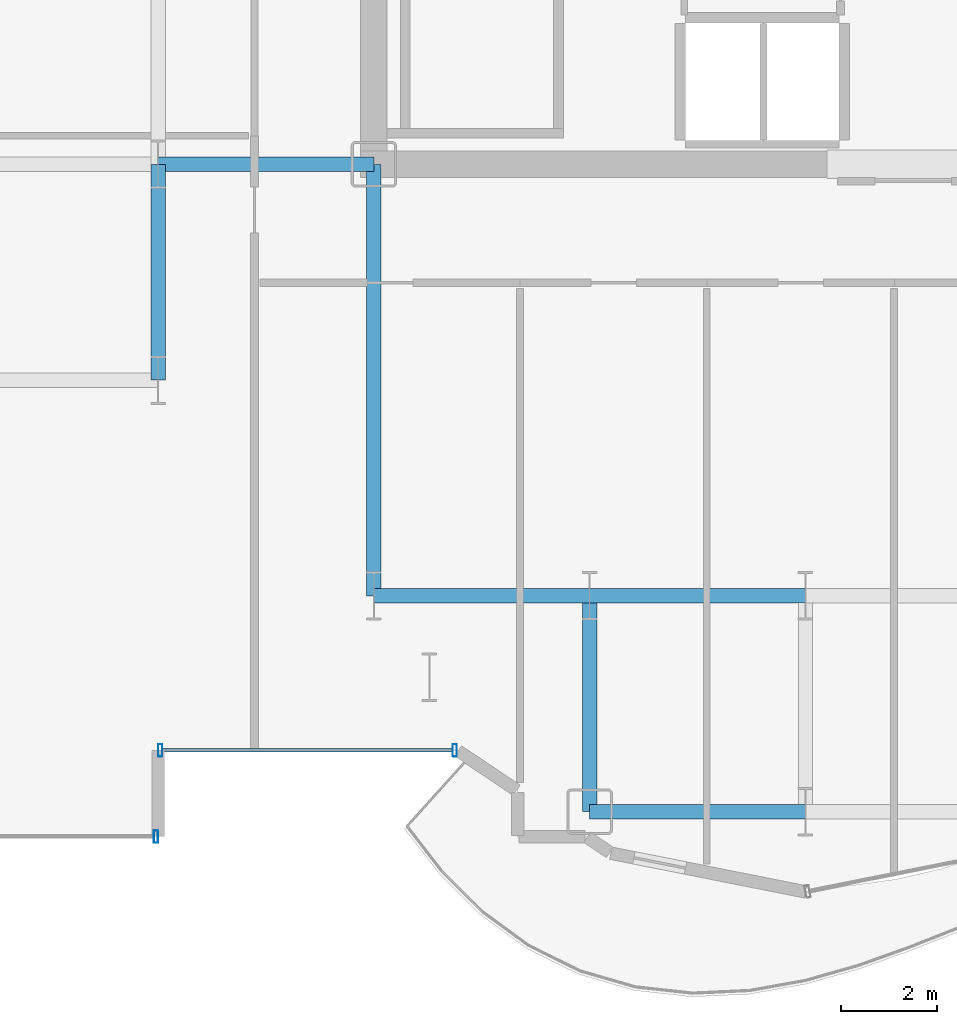
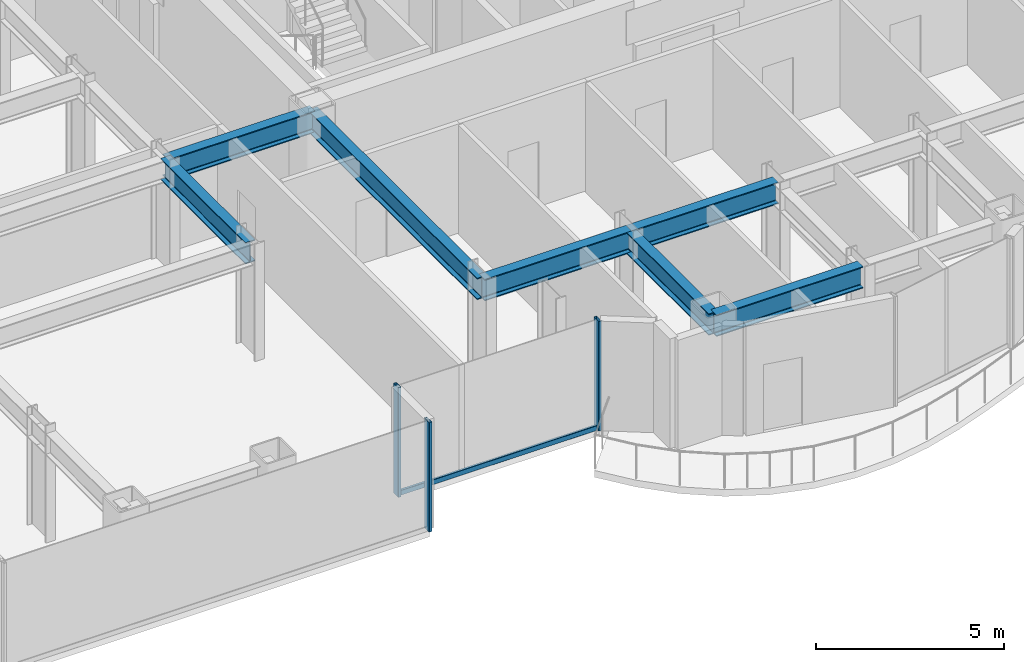
# One storey, part 4 of 29: 7 beams, 4 members, 2 elements without a shape of their own.
"""IFC4 building model written with IfcOpenShell, lengths in metres."""

import ifcopenshell
import ifcopenshell.guid

model = None  # the IFC model being written
_history = None  # IfcOwnerHistory: only IFC2X3 demands one
_inside = {}  # id of a spatial element -> (the spatial element, [elements in it])
_under = {}  # id of a project, library or spatial element -> (it, [spatial elements below it])
_declared = {}  # id of a project -> (the project, [libraries it declares])
_typed = {}  # id of a type object -> (the type object, [elements of that type])
_made_of = {}  # id of a material, layer set ... -> (it, [elements and type objects made of it])


def new_model(schema):
    """Start an empty IFC model of exactly this schema.

    Asked for "IFC4X3", IfcOpenShell would pick the latest addendum, in which some entities
    have other attributes; the version numbers below select the first issue.
    IFC2X3 requires an IfcOwnerHistory on every rooted entity: one is made here for all.
    """
    global model, _history
    if schema == "IFC4X3":
        model = ifcopenshell.file(schema_version=(4, 3, 0, 0))
    else:
        model = ifcopenshell.file(schema=schema)
    _inside.clear()
    _under.clear()
    _declared.clear()
    _typed.clear()
    _made_of.clear()
    _history = None
    if model.schema == "IFC2X3":
        org = make("IfcOrganization", Name="unknown")
        user = make(
            "IfcPersonAndOrganization",
            ThePerson=make("IfcPerson", FamilyName="unknown"),
            TheOrganization=org,
        )
        app = make(
            "IfcApplication",
            ApplicationDeveloper=org,
            Version="unknown",
            ApplicationFullName="unknown",
            ApplicationIdentifier="unknown",
        )
        _history = make(
            "IfcOwnerHistory",
            OwningUser=user,
            OwningApplication=app,
            ChangeAction="ADDED",
            CreationDate=0,
        )
    return model


def make(cls, **values):
    """One entity of the class cls with the attributes given. An attribute that is None is left unset."""
    return model.create_entity(
        cls, **{name: value for name, value in values.items() if value is not None}
    )


def rooted(cls, **values):
    """An entity with a GlobalId (a new one), such as an element, a storey or a relation."""
    return make(cls, GlobalId=ifcopenshell.guid.new(), OwnerHistory=_history, **values)


def si_unit(unit_type, name, prefix=None):
    """IfcSIUnit, for example si_unit("LENGTHUNIT", "METRE", prefix="MILLI")."""
    return make("IfcSIUnit", UnitType=unit_type, Prefix=prefix, Name=name)


def assignment(units):
    """IfcUnitAssignment: the units of a project."""
    return None if units is None else make("IfcUnitAssignment", Units=units)


def point(xyz):
    """IfcCartesianPoint."""
    return None if xyz is None else make("IfcCartesianPoint", Coordinates=xyz)


def direction(xyz):
    """IfcDirection."""
    return None if xyz is None else make("IfcDirection", DirectionRatios=xyz)


def frame(location, z_axis=None, x_axis=None):
    """IfcAxis2Placement3D, a coordinate frame: its origin and axes. An axis left out is left unset."""
    return make(
        "IfcAxis2Placement3D",
        Location=point(location),
        Axis=direction(z_axis),
        RefDirection=direction(x_axis),
    )


def frame_2d(location, x_axis=None):
    """IfcAxis2Placement2D, a coordinate frame in the plane: its origin and x axis."""
    return make(
        "IfcAxis2Placement2D", Location=point(location), RefDirection=direction(x_axis)
    )


def origin():
    """The frame at (0, 0, 0) with its axes left unset."""
    return frame((0.0, 0.0, 0.0))


def origin_2d():
    """The frame at (0, 0) in the plane with its x axis left unset."""
    return frame_2d((0.0, 0.0))


def place(relative_to, where):
    """IfcLocalPlacement: puts the frame where relative to a parent placement (None: the world)."""
    return make(
        "IfcLocalPlacement", PlacementRelTo=relative_to, RelativePlacement=where
    )


def context(
    kind, dimensions, precision=None, world=None, true_north=None, identifier=None
):
    """IfcGeometricRepresentationContext, for example the 3D "Model" context."""
    return make(
        "IfcGeometricRepresentationContext",
        ContextIdentifier=identifier,
        ContextType=kind,
        CoordinateSpaceDimension=dimensions,
        Precision=precision,
        WorldCoordinateSystem=world,
        TrueNorth=true_north,
    )


def subcontext(parent, identifier, kind, view, scale=None):
    """IfcGeometricRepresentationSubContext, for example "Body" below "Model"."""
    return make(
        "IfcGeometricRepresentationSubContext",
        ContextIdentifier=identifier,
        ContextType=kind,
        ParentContext=parent,
        TargetScale=scale,
        TargetView=view,
    )


def project(units=None, contexts=None):
    """IfcProject with its units and contexts."""
    return rooted(
        "IfcProject",
        Name="project",
        RepresentationContexts=contexts,
        UnitsInContext=assignment(units),
    )


def spatial(cls, under=None, at=None, **own):
    """A site, building, storey or space (cls), placed at a placement, below another one or the project."""
    s = rooted(cls, ObjectPlacement=at, **own)
    if under is not None:
        _under.setdefault(under.id(), (under, []))[1].append(s)
    return s


def profile(cls, at=None, kind="AREA", **sizes):
    """A parametric profile (cls). Its sizes go by their IFC names, for example OverallWidth=200.0."""
    return make(cls, ProfileType=kind, Position=at, **sizes)


def hollow_rectangle(**sizes):
    """IfcRectangleHollowProfileDef."""
    return profile("IfcRectangleHollowProfileDef", **sizes)


def i_section(**sizes):
    """IfcIShapeProfileDef."""
    return profile("IfcIShapeProfileDef", **sizes)


def extrude(swept, where, along, depth):
    """IfcExtrudedAreaSolid: the profile swept, set in the frame where, extruded along a direction by depth."""
    return make(
        "IfcExtrudedAreaSolid",
        SweptArea=swept,
        Position=where,
        ExtrudedDirection=direction(along),
        Depth=depth,
    )


def shape(context_of_items, identifier, shape_type, items):
    """IfcShapeRepresentation: the items that make up one representation, for example the "Body"."""
    return make(
        "IfcShapeRepresentation",
        ContextOfItems=context_of_items,
        RepresentationIdentifier=identifier,
        RepresentationType=shape_type,
        Items=items,
    )


def source(mapping_origin, context_of_items, identifier, shape_type, items):
    """IfcRepresentationMap: a shape defined once, which mapped items show again and again."""
    return make(
        "IfcRepresentationMap",
        MappingOrigin=mapping_origin,
        MappedRepresentation=shape(context_of_items, identifier, shape_type, items),
    )


def transform(
    local_origin,
    x_axis=None,
    y_axis=None,
    z_axis=None,
    scale=None,
    scale2=None,
    scale3=None,
    uniform=True,
):
    """IfcCartesianTransformationOperator3D, or its non-uniform kind. x_axis, y_axis, z_axis: its Axis1, 2, 3."""
    if uniform:
        return make(
            "IfcCartesianTransformationOperator3D",
            Axis1=direction(x_axis),
            Axis2=direction(y_axis),
            LocalOrigin=point(local_origin),
            Scale=scale,
            Axis3=direction(z_axis),
        )
    return make(
        "IfcCartesianTransformationOperator3DnonUniform",
        Axis1=direction(x_axis),
        Axis2=direction(y_axis),
        LocalOrigin=point(local_origin),
        Scale=scale,
        Axis3=direction(z_axis),
        Scale2=scale2,
        Scale3=scale3,
    )


def mapped(mapping_source, mapping_target):
    """IfcMappedItem: shows the shape of a source again, moved by a transform."""
    return make(
        "IfcMappedItem", MappingSource=mapping_source, MappingTarget=mapping_target
    )


def material(Name=None, Category=None):
    """IfcMaterial."""
    return make("IfcMaterial", Name=Name, Category=Category)


def layer(
    of_material, thickness, ventilated=None, Name=None, Category=None, Priority=None
):
    """IfcMaterialLayer: one layer of a wall or slab, of a material (None: an air gap)."""
    return make(
        "IfcMaterialLayer",
        Material=of_material,
        LayerThickness=thickness,
        IsVentilated=ventilated,
        Name=Name,
        Category=Category,
        Priority=Priority,
    )


def layer_set(layers, Name=None):
    """IfcMaterialLayerSet."""
    return make("IfcMaterialLayerSet", MaterialLayers=layers, LayerSetName=Name)


def material_profile(
    of_material, cross_section, Name=None, Category=None, Priority=None
):
    """IfcMaterialProfile: a cross section and its material."""
    return make(
        "IfcMaterialProfile",
        Name=Name,
        Material=of_material,
        Profile=cross_section,
        Priority=Priority,
        Category=Category,
    )


def profile_set(profiles, Name=None, composite=None):
    """IfcMaterialProfileSet."""
    return make(
        "IfcMaterialProfileSet",
        Name=Name,
        MaterialProfiles=profiles,
        CompositeProfile=composite,
    )


def made_of(thing, what):
    """Note that an element or type object is made of a material, layer set ...; save() writes the relation."""
    if what is not None:
        _made_of.setdefault(what.id(), (what, []))[1].append(thing)
    return thing


def type_object(cls, material=None, **own):
    """A type object (cls), such as IfcWallType, which elements share."""
    return made_of(rooted(cls, **own), material)


def element(
    cls,
    number,
    at=None,
    inside=None,
    cuts=None,
    type_object=None,
    material=None,
    context=None,
    identifier="Body",
    shape_type=None,
    held_by="IfcProductDefinitionShape",
    body=None,
    shapes=None,
    **own,
):
    """One element of the class cls, such as IfcWall. Its Tag is "e" and its number.

    at: its placement. inside: the storey or other place that contains it. cuts: it is an
    opening in that element (IfcRelVoidsElement). A single representation is given by context,
    identifier, shape_type and body (its items); several are given by shapes. held_by: the class
    of the entity that holds the representations. save() writes the other relations.
    """
    e = rooted(cls, Tag="e%d" % number, ObjectPlacement=at, **own)
    if body is not None:
        shapes = [shape(context, identifier, shape_type, body)]
    if shapes is not None:
        e.Representation = make(held_by, Representations=shapes)
    if inside is not None:
        _inside.setdefault(inside.id(), (inside, []))[1].append(e)
    if cuts is not None:
        rooted(
            "IfcRelVoidsElement", RelatingBuildingElement=cuts, RelatedOpeningElement=e
        )
    if type_object is not None:
        _typed.setdefault(type_object.id(), (type_object, []))[1].append(e)
    return made_of(e, material)


def aggregate(whole, parts):
    """IfcRelAggregates: a whole, such as a stair, and the parts it consists of."""
    return rooted("IfcRelAggregates", RelatingObject=whole, RelatedObjects=parts)


def save(model, path):
    """Write the relations noted so far, then the file.

    IfcRelAggregates (storeys below a building ...), IfcRelContainedInSpatialStructure (elements
    in a storey), IfcRelDefinesByType, IfcRelAssociatesMaterial and IfcRelDeclares: one each for
    every whole, place, type object, material and project.
    """
    for whole, parts in _under.values():
        aggregate(whole, parts)
    for where, things in _inside.values():
        rooted(
            "IfcRelContainedInSpatialStructure",
            RelatedElements=things,
            RelatingStructure=where,
        )
    for kind, things in _typed.values():
        rooted("IfcRelDefinesByType", RelatedObjects=things, RelatingType=kind)
    for what, things in _made_of.values():
        rooted("IfcRelAssociatesMaterial", RelatedObjects=things, RelatingMaterial=what)
    for by, libraries in _declared.values():
        rooted("IfcRelDeclares", RelatingContext=by, RelatedDefinitions=libraries)
    model.write(path)


model = new_model("IFC4")

# Units and contexts
model_context = context("Model", 3, precision=1e-05, world=origin(), true_north=direction((0.0, 1.0)))
body_context = subcontext(model_context, "Body", "Model", "MODEL_VIEW")
ifc_project = project(units=[si_unit("LENGTHUNIT", "METRE"), si_unit("AREAUNIT", "SQUARE_METRE"), si_unit("VOLUMEUNIT", "CUBIC_METRE"), si_unit("PLANEANGLEUNIT", "RADIAN"), si_unit("MASSUNIT", "GRAM", prefix="KILO")], contexts=[model_context])

# Site, building, storey
site_placement = place(None, origin())
site = spatial("IfcSite", under=ifc_project, at=site_placement, CompositionType="ELEMENT")
building_placement = place(site_placement, origin())
building = spatial("IfcBuilding", under=site, at=building_placement, Name="Nefas-Gora Pilgrimage Tower", CompositionType="ELEMENT")
storey_placement = place(building_placement, frame((0.0, 0.0, 90.800048828125)))
storey = spatial("IfcBuildingStorey", under=building, at=storey_placement, Name="L21", CompositionType="ELEMENT", Elevation=90.800048828125)

# Beams
ifc_material_1 = material(Name="Steel S355", Category="steel")
ifc_material_profile_1 = material_profile(ifc_material_1, i_section(OverallWidth=0.300048828125, OverallDepth=0.699951171875, WebThickness=0.01708984375, FlangeThickness=0.031982421875, FilletRadius=0.027099609375, at=origin_2d()), Name="HEB 700")
ifc_profile_set_1 = profile_set([ifc_material_profile_1], Name="Steel S355")
beam_type = type_object("IfcBeamType", Name="BM-GIR-HEB700", PredefinedType="BEAM", material=ifc_profile_set_1)
shared_shape_1 = source(origin(), body_context, "Body", "SweptSolid", [
    extrude(i_section(OverallWidth=0.300048828125, OverallDepth=0.699951171875, WebThickness=0.01708984375, FlangeThickness=0.031982421875, FilletRadius=0.027099609375, at=origin_2d()), origin(), (0.0, 0.0, 1.0), 9.0),
])
beam_placement = place(storey_placement, frame((-11.25, -18.0, 3.199951171875), z_axis=(0.0, 1.0, 0.0), x_axis=(-1.0, 0.0, 0.0)))
element("IfcBeam", 1, at=beam_placement, inside=storey, type_object=beam_type, Name="L21 G-02 beam", PredefinedType="BEAM", context=body_context, shape_type="MappedRepresentation", body=[
    mapped(shared_shape_1, transform((0.0, 0.0, 0.0), x_axis=(1.0, 0.0, 0.0), y_axis=(0.0, 1.0, 0.0), z_axis=(0.0, 0.0, 1.0), scale=1.0)),
])
shared_shape_2 = source(origin(), body_context, "Body", "SweptSolid", [
    extrude(i_section(OverallWidth=0.300048828125, OverallDepth=0.699951171875, WebThickness=0.01708984375, FlangeThickness=0.031982421875, FilletRadius=0.027099609375, at=origin_2d()), origin(), (0.0, 0.0, 1.0), 4.5),
])
for number, where, z_axis, x_axis, name in (
    (2, (-15.75, -13.5, 3.199951171875), (0.0, 1.0, 0.0), (-1.0, 0.0, 0.0), "L21 G-02 beam"),
    (3, (-15.75, -9.0, 3.199951171875), (1.0, 0.0, 0.0), (0.0, 1.0, 0.0), "L21 G-02 beam"),
    (4, (-11.25, -18.0, 3.199951171875), (1.0, 0.0, 0.0), (0.0, 1.0, 0.0), "L21 G-02 beam"),
    (5, (-6.75, -22.5, 3.199951171875), (0.0, 1.0, 0.0), (-1.0, 0.0, 0.0), "L21 G-02 beam"),
    (6, (-6.75, -22.5, 3.199951171875), (1.0, 0.0, 0.0), (0.0, 1.0, 0.0), "L21 G-02 beam"),
    (7, (-6.75, -18.0, 3.199951171875), (1.0, 0.0, 0.0), (0.0, 1.0, 0.0), "L21 G-02 beam"),
):
    element("IfcBeam", number, at=place(storey_placement, frame(where, z_axis=z_axis, x_axis=x_axis)), inside=storey, type_object=beam_type, Name=name, PredefinedType="BEAM", context=body_context, shape_type="MappedRepresentation", body=[
        mapped(shared_shape_2, transform((0.0, 0.0, 0.0), x_axis=(1.0, 0.0, 0.0), y_axis=(0.0, 1.0, 0.0), z_axis=(0.0, 0.0, 1.0), scale=1.0)),
    ])

# Curtain wall, members
ifc_material_2 = material(Name="Dark ceramic-fritted solar-control aluminium-glass curtain wall", Category="aluminium")
ifc_layer_1 = layer(ifc_material_2, 0.219970703125)
ifc_layer_set_1 = layer_set([ifc_layer_1], Name="Dark ceramic-fritted solar-control aluminium-glass curtain wall")
curtain_wall_type_1 = type_object("IfcCurtainWallType", Name="CW-SYS-5", PredefinedType="NOTDEFINED", material=ifc_layer_set_1)
curtain_wall_1_placement = place(storey_placement, origin())
curtain_wall_1 = element("IfcCurtainWall", 8, at=curtain_wall_1_placement, inside=storey, type_object=curtain_wall_type_1, Name="L21 Unitised Curtain Wall CW5", PredefinedType="NOTDEFINED")
ifc_material_3 = material(Name="Anodised architectural aluminium", Category="aluminium")
ifc_material_profile_2 = material_profile(ifc_material_3, hollow_rectangle(XDim=0.090087890625, YDim=0.260009765625, WallThickness=0.006103515625, InnerFilletRadius=0.006103515625, OuterFilletRadius=0.011962890625, at=origin_2d()), Name="ALU MULLION 90x260")
ifc_profile_set_2 = profile_set([ifc_material_profile_2], Name="Anodised architectural aluminium")
member_type_1 = type_object("IfcMemberType", Name="CWM-MUL-5", PredefinedType="MULLION", material=ifc_profile_set_2)
shared_shape_3 = source(origin(), body_context, "Body", "SweptSolid", [
    extrude(hollow_rectangle(XDim=0.090087890625, YDim=0.260009765625, WallThickness=0.006103515625, InnerFilletRadius=0.006103515625, OuterFilletRadius=0.011962890625, at=origin_2d()), origin(), (0.0, 0.0, 1.0), 3.550048828125),
])
member_1_placement = place(storey_placement, frame((-15.705078125, -21.219970703125, 0.0), z_axis=(0.0, 0.0, 1.0), x_axis=(1.0, 0.0, 0.0)))
member_1 = element("IfcMember", 9, at=member_1_placement, type_object=member_type_1, Name="CW5 Mullion 1", PredefinedType="MULLION", context=body_context, shape_type="MappedRepresentation", body=[
    mapped(shared_shape_3, transform((0.0, 0.0, 0.0), x_axis=(1.0, 0.0, 0.0), y_axis=(0.0, 1.0, 0.0), z_axis=(0.0, 0.0, 1.0), scale=1.0)),
])
member_2_placement = place(storey_placement, frame((-9.56298828125, -21.219970703125, 0.0), z_axis=(0.0, 0.0, 1.0), x_axis=(1.0, 0.0, 0.0)))
member_2 = element("IfcMember", 10, at=member_2_placement, type_object=member_type_1, Name="CW5 Mullion 2", PredefinedType="MULLION", context=body_context, shape_type="MappedRepresentation", body=[
    mapped(shared_shape_3, transform((0.0, 0.0, 0.0), x_axis=(1.0, 0.0, 0.0), y_axis=(0.0, 1.0, 0.0), z_axis=(0.0, 0.0, 1.0), scale=1.0)),
])
ifc_material_profile_3 = material_profile(ifc_material_3, hollow_rectangle(XDim=0.080078125, YDim=0.159912109375, WallThickness=0.00439453125, InnerFilletRadius=0.00439453125, OuterFilletRadius=0.009033203125, at=origin_2d()), Name="ALU TRANSOM 80x160")
ifc_profile_set_3 = profile_set([ifc_material_profile_3], Name="Anodised architectural aluminium")
member_type_2 = type_object("IfcMemberType", Name="CWM-TRN-5", PredefinedType="USERDEFINED", material=ifc_profile_set_3)
shared_shape_4 = source(origin(), body_context, "Body", "SweptSolid", [
    extrude(hollow_rectangle(XDim=0.080078125, YDim=0.159912109375, WallThickness=0.00439453125, InnerFilletRadius=0.00439453125, OuterFilletRadius=0.009033203125, at=origin_2d()), origin(), (0.0, 0.0, 1.0), 6.052001953125),
])
member_3_placement = place(storey_placement, frame((-15.659912109375, -21.219970703125, 0.050048828125), z_axis=(1.0, 0.0, 0.0), x_axis=(0.0, 1.0, 0.0)))
member_3 = element("IfcMember", 11, at=member_3_placement, type_object=member_type_2, Name="CW5 Spandrel Transom", ObjectType="TRANSOM", PredefinedType="USERDEFINED", context=body_context, shape_type="MappedRepresentation", body=[
    mapped(shared_shape_4, transform((0.0, 0.0, 0.0), x_axis=(1.0, 0.0, 0.0), y_axis=(0.0, 1.0, 0.0), z_axis=(0.0, 0.0, 1.0), scale=1.0)),
])
aggregate(curtain_wall_1, [member_1, member_2, member_3])

# Curtain wall, member
ifc_layer_2 = layer(ifc_material_2, 0.219970703125)
ifc_layer_set_2 = layer_set([ifc_layer_2], Name="Dark ceramic-fritted solar-control aluminium-glass curtain wall")
curtain_wall_type_2 = type_object("IfcCurtainWallType", Name="CW-SYS-2", PredefinedType="NOTDEFINED", material=ifc_layer_set_2)
curtain_wall_2_placement = place(storey_placement, origin())
curtain_wall_2 = element("IfcCurtainWall", 12, at=curtain_wall_2_placement, inside=storey, type_object=curtain_wall_type_2, Name="L21 Unitised Curtain Wall CW2", PredefinedType="NOTDEFINED")
ifc_material_profile_4 = material_profile(ifc_material_3, hollow_rectangle(XDim=0.090087890625, YDim=0.260009765625, WallThickness=0.006103515625, InnerFilletRadius=0.006103515625, OuterFilletRadius=0.011962890625, at=origin_2d()), Name="ALU MULLION 90x260")
ifc_profile_set_4 = profile_set([ifc_material_profile_4], Name="Anodised architectural aluminium")
member_type_3 = type_object("IfcMemberType", Name="CWM-MUL-2", PredefinedType="MULLION", material=ifc_profile_set_4)
shared_shape_5 = source(origin(), body_context, "Body", "SweptSolid", [
    extrude(hollow_rectangle(XDim=0.090087890625, YDim=0.260009765625, WallThickness=0.006103515625, InnerFilletRadius=0.006103515625, OuterFilletRadius=0.011962890625, at=origin_2d()), origin(), (0.0, 0.0, 1.0), 3.550048828125),
])
member_4_placement = place(storey_placement, frame((-15.794921875, -23.02001953125, 0.0), z_axis=(0.0, 0.0, 1.0), x_axis=(1.0, 0.0, 0.0)))
member_4 = element("IfcMember", 13, at=member_4_placement, type_object=member_type_3, Name="CW2 Mullion 2", PredefinedType="MULLION", context=body_context, shape_type="MappedRepresentation", body=[
    mapped(shared_shape_5, transform((0.0, 0.0, 0.0), x_axis=(1.0, 0.0, 0.0), y_axis=(0.0, 1.0, 0.0), z_axis=(0.0, 0.0, 1.0), scale=1.0)),
])
aggregate(curtain_wall_2, [member_4])

save(model, "model.ifc")
